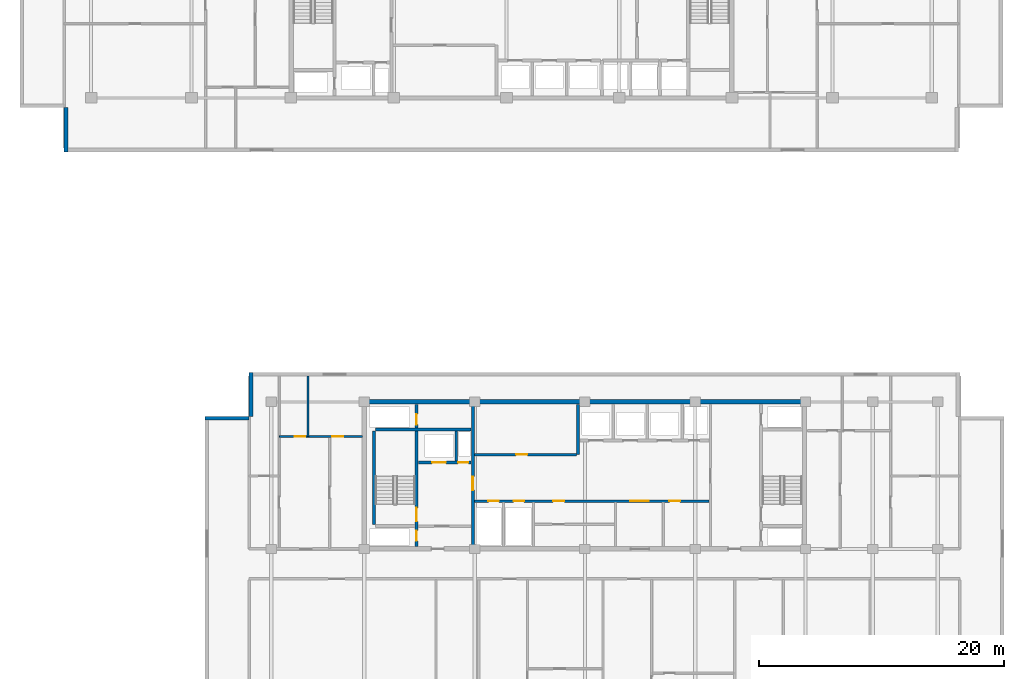
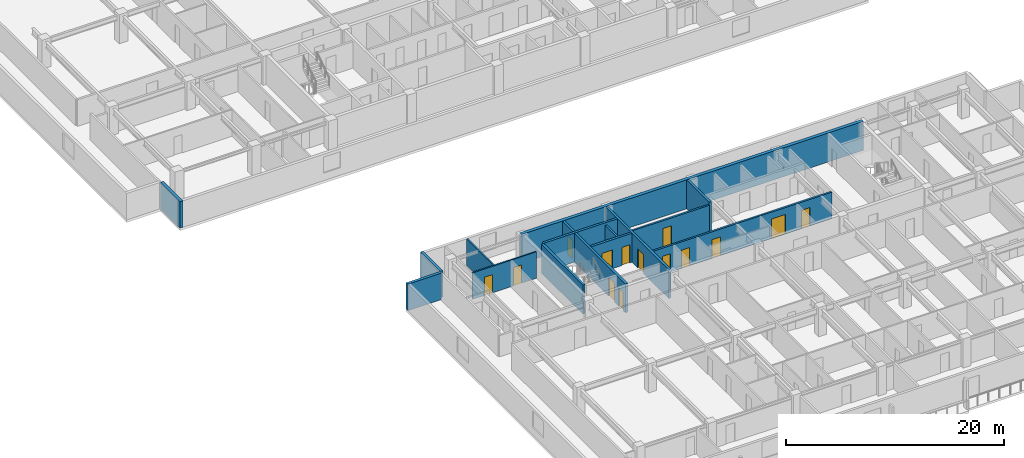
# One storey, part 6 of 21: 15 walls, 14 doors, 14 openings.
"""IFC4 building model written with IfcOpenShell, lengths in metres."""

from ifc_helpers import new_model, si_unit, direction, frame, frame_2d, origin, place, context, subcontext, project, spatial, rectangle, extrude, material, layer, layer_set, type_object, element, fill, save


model = new_model("IFC4")

# Units and contexts
model_context = context("Model", 3, precision=1e-05, world=origin(), true_north=direction((0.0, 1.0)))
body_context = subcontext(model_context, "Body", "Model", "MODEL_VIEW")
ifc_project = project(units=[si_unit("LENGTHUNIT", "METRE"), si_unit("AREAUNIT", "SQUARE_METRE"), si_unit("VOLUMEUNIT", "CUBIC_METRE"), si_unit("PLANEANGLEUNIT", "RADIAN"), si_unit("MASSUNIT", "GRAM", prefix="KILO")], contexts=[model_context])

# Site, building, storey
site_placement = place(None, origin())
site = spatial("IfcSite", under=ifc_project, at=site_placement, CompositionType="ELEMENT")
building_placement = place(site_placement, origin())
building = spatial("IfcBuilding", under=site, at=building_placement, Name="Korimba Cascade Residences", CompositionType="ELEMENT")
storey_placement = place(building_placement, frame((0.0, 0.0, 100.300048828125)))
storey = spatial("IfcBuildingStorey", under=building, at=storey_placement, Name="L28", CompositionType="ELEMENT", Elevation=100.300048828125)

# Walls
ifc_material_1 = material(Name="Precast concrete C40/50", Category="concrete")
ifc_layer_1 = layer(ifc_material_1, 0.300048828125)
ifc_layer_set_1 = layer_set([ifc_layer_1], Name="Precast concrete C40/50")
wall_type_1 = type_object("IfcWallType", Name="EW-STONE-300", PredefinedType="STANDARD", material=ifc_layer_set_1)
wall_1_placement = place(storey_placement, frame((57.75, 54.39990234375, 0.0), z_axis=(0.0, 0.0, 1.0), x_axis=(0.0, -1.0, 0.0)))
element("IfcWall", 1, at=wall_1_placement, inside=storey, type_object=wall_type_1, Name="L28 T1 Perimeter Stone Wall E11", PredefinedType="STANDARD", context=body_context, shape_type="SweptSolid", body=[
    extrude(rectangle(XDim=3.599853515625, YDim=0.300048828125, at=frame_2d((1.7998046875, 0.0))), origin(), (0.0, 0.0, 1.0), 2.969970703125),
])
wall_2_placement = place(storey_placement, frame((72.85009765625, 32.800048828125, 0.0), z_axis=(0.0, 0.0, 1.0), x_axis=(0.0, -1.0, 0.0)))
element("IfcWall", 2, at=wall_2_placement, inside=storey, type_object=wall_type_1, Name="L28 T2 Perimeter Stone Wall E07", PredefinedType="STANDARD", context=body_context, shape_type="SweptSolid", body=[
    extrude(rectangle(XDim=3.60009765625, YDim=0.300048828125, at=frame_2d((1.800048828125, 0.0))), origin(), (0.0, 0.0, 1.0), 2.969970703125),
])
wall_3_placement = place(storey_placement, frame((72.699951171875, 29.050048828125, 0.0), z_axis=(0.0, 0.0, 1.0), x_axis=(-1.0, 0.0, 0.0)))
element("IfcWall", 3, at=wall_3_placement, inside=storey, type_object=wall_type_1, Name="L28 T2 Perimeter Stone Wall E08", PredefinedType="STANDARD", context=body_context, shape_type="SweptSolid", body=[
    extrude(rectangle(XDim=3.599853515625, YDim=0.300048828125, at=frame_2d((1.7998046875, 0.0))), origin(), (0.0, 0.0, 1.0), 2.969970703125),
])
ifc_material_2 = material(Name="Concrete C65/80", Category="concrete")
ifc_layer_2 = layer(ifc_material_2, 0.35009765625)
ifc_layer_set_2 = layer_set([ifc_layer_2], Name="Concrete C65/80")
wall_type_2 = type_object("IfcWallType", Name="WAL-CORE-350", PredefinedType="SHEAR", material=ifc_layer_set_2)
wall_4_placement = place(storey_placement, frame((81.925048828125, 30.39990234375, 0.0), z_axis=(0.0, 0.0, 1.0), x_axis=(1.0, 0.0, 0.0)))
element("IfcWall", 4, at=wall_4_placement, inside=storey, type_object=wall_type_2, Name="L28 Core Shear Wall CW-L28-T2-N", PredefinedType="SHEAR", context=body_context, shape_type="SweptSolid", body=[
    extrude(rectangle(XDim=36.264892578125, YDim=0.35009765625, at=frame_2d((18.13232421875, 0.0))), origin(), (0.0, 0.0, 1.0), 3.25),
])
ifc_material_3 = material(Name="Insulated Acoustic Stud Partition", Category="gypsum")
ifc_layer_3 = layer(ifc_material_3, 0.14990234375)
ifc_layer_set_3 = layer_set([ifc_layer_3], Name="Insulated Acoustic Stud Partition")
wall_type_3 = type_object("IfcWallType", Name="WAL-PART-150", PredefinedType="PARTITIONING", material=ifc_layer_set_3)
wall_5_placement = place(storey_placement, frame((77.5, 27.570068359375, 0.0), z_axis=(0.0, 0.0, 1.0), x_axis=(0.0, 1.0, 0.0)))
element("IfcWall", 5, at=wall_5_placement, inside=storey, type_object=wall_type_3, Name="L28 Partition Wall WAL-L28-T2-FW-VN", PredefinedType="PARTITIONING", context=body_context, shape_type="SweptSolid", body=[
    extrude(rectangle(XDim=4.929931640625, YDim=0.14990234375, at=frame_2d((2.46484375, 0.0))), origin(), (0.0, 0.0, 1.0), 2.969970703125),
])

# Wall, openings, doors
wall_6_placement = place(storey_placement, frame((75.169921875, 27.570068359375, 0.0), z_axis=(0.0, 0.0, 1.0), x_axis=(1.0, 0.0, 0.0)))
wall_6 = element("IfcWall", 6, at=wall_6_placement, inside=storey, type_object=wall_type_3, Name="L28 Partition Wall WAL-L28-T2-FW-H", PredefinedType="PARTITIONING", context=body_context, shape_type="SweptSolid", body=[
    extrude(rectangle(XDim=6.760009765625, YDim=0.14990234375, at=frame_2d((3.3798828125, 0.0))), origin(), (0.0, 0.0, 1.0), 2.969970703125),
])
opening_1_placement = place(wall_6_placement, frame((1.266357421875, 0.0, 0.0)))
opening_1 = element("IfcOpeningElement", 7, at=opening_1_placement, cuts=wall_6, Name="Opening D-BT1", PredefinedType="OPENING", context=body_context, shape_type="SweptSolid", body=[
    extrude(rectangle(XDim=0.840087890625, YDim=2.0400390625, at=frame_2d((0.419921875, 1.02001953125))), frame((0.0, 0.0849609375, 0.0), z_axis=(0.0, -1.0, 0.0), x_axis=(1.0, 0.0, 0.0)), (0.0, 0.0, 1.0), 0.169921875),
])
opening_2_placement = place(wall_6_placement, frame((4.320068359375, 0.0, 0.0)))
opening_2 = element("IfcOpeningElement", 8, at=opening_2_placement, cuts=wall_6, Name="Opening D-IN2", PredefinedType="OPENING", context=body_context, shape_type="SweptSolid", body=[
    extrude(rectangle(XDim=0.8798828125, YDim=2.06005859375, at=frame_2d((0.43994140625, 1.030029296875))), frame((0.0, 0.0849609375, 0.0), z_axis=(0.0, -1.0, 0.0), x_axis=(1.0, 0.0, 0.0)), (0.0, 0.0, 1.0), 0.169921875),
])
ifc_material_4 = material(Name="Moisture-Resistant Bathroom Timber Door", Category="wood")
door_type_1 = type_object("IfcDoorType", Name="DR-INT-850", OperationType="NOTDEFINED", PredefinedType="DOOR", material=ifc_material_4)
door_1_placement = place(opening_1_placement, origin())
door_1 = element("IfcDoor", 9, at=door_1_placement, inside=storey, type_object=door_type_1, Name="L28-T2-FW Bathroom Door", OperationType="SINGLE_SWING_RIGHT", OverallHeight=2.0400390625, OverallWidth=0.840087890625, PredefinedType="DOOR", context=body_context, shape_type="SweptSolid", body=[
    extrude(rectangle(XDim=0.840087890625, YDim=2.0400390625, at=frame_2d((0.419921875, 1.02001953125))), frame((0.0, 0.02490234375, 0.0), z_axis=(0.0, -1.0, 0.0), x_axis=(1.0, 0.0, 0.0)), (0.0, 0.0, 1.0), 0.050048828125),
])
fill(opening_1, door_1)
ifc_material_5 = material(Name="Acoustic Timber Bedroom Door", Category="wood")
door_type_2 = type_object("IfcDoorType", Name="DR-INT-880", OperationType="NOTDEFINED", PredefinedType="DOOR", material=ifc_material_5)
door_2_placement = place(opening_2_placement, origin())
door_2 = element("IfcDoor", 10, at=door_2_placement, inside=storey, type_object=door_type_2, Name="L28-T2-FW Bedroom Door", OperationType="SINGLE_SWING_LEFT", OverallHeight=2.06005859375, OverallWidth=0.8798828125, PredefinedType="DOOR", context=body_context, shape_type="SweptSolid", body=[
    extrude(rectangle(XDim=0.8798828125, YDim=2.06005859375, at=frame_2d((0.43994140625, 1.030029296875))), frame((0.0, 0.02490234375, 0.0), z_axis=(0.0, -1.0, 0.0), x_axis=(1.0, 0.0, 0.0)), (0.0, 0.0, 1.0), 0.050048828125),
])
fill(opening_2, door_2)

# Wall
ifc_material_6 = material(Name="Concrete C40/50", Category="concrete")
ifc_layer_4 = layer(ifc_material_6, 0.199951171875)
ifc_layer_set_4 = layer_set([ifc_layer_4], Name="Concrete C40/50")
wall_type_4 = type_object("IfcWallType", Name="WAL-PART-200", PredefinedType="PARTITIONING", material=ifc_layer_set_4)
wall_7_placement = place(storey_placement, frame((89.60009765625, 25.580078125, 0.0), z_axis=(0.0, 0.0, 1.0), x_axis=(0.0, 1.0, 0.0)))
element("IfcWall", 11, at=wall_7_placement, inside=storey, type_object=wall_type_4, Name="L28 Partition Wall CW-L28-T2-FFLDIV", PredefinedType="PARTITIONING", context=body_context, shape_type="SweptSolid", body=[
    extrude(rectangle(XDim=2.419921875, YDim=0.199951171875, at=frame_2d((1.2099609375, 0.0))), origin(), (0.0, 0.0, 1.0), 2.969970703125),
])

# Wall, opening, door
wall_8_placement = place(storey_placement, frame((91.080078125, 26.10009765625, 0.0), z_axis=(0.0, 0.0, 1.0), x_axis=(1.0, 0.0, 0.0)))
wall_8 = element("IfcWall", 12, at=wall_8_placement, inside=storey, type_object=wall_type_4, Name="L28 Partition Wall CW-L28-T2-B1RS", PredefinedType="PARTITIONING", context=body_context, shape_type="SweptSolid", body=[
    extrude(rectangle(XDim=8.33984375, YDim=0.199951171875, at=frame_2d((4.169921875, 0.0))), origin(), (0.0, 0.0, 1.0), 2.969970703125),
])
opening_3_placement = place(wall_8_placement, frame((3.39990234375, 0.0, 0.0)))
opening_3 = element("IfcOpeningElement", 13, at=opening_3_placement, cuts=wall_8, Name="Opening D-ST1", PredefinedType="OPENING", context=body_context, shape_type="SweptSolid", body=[
    extrude(rectangle(XDim=0.919921875, YDim=2.080078125, at=frame_2d((0.4599609375, 1.0400390625))), frame((0.0, 0.10986328125, 0.0), z_axis=(0.0, -1.0, 0.0), x_axis=(1.0, 0.0, 0.0)), (0.0, 0.0, 1.0), 0.219970703125),
])
ifc_material_7 = material(Name="Fire-Rated Core Store Door", Category="wood")
door_type_3 = type_object("IfcDoorType", Name="DR-FD60-920", OperationType="NOTDEFINED", PredefinedType="DOOR", material=ifc_material_7)
door_3_placement = place(opening_3_placement, origin())
door_3 = element("IfcDoor", 14, at=door_3_placement, inside=storey, type_object=door_type_3, Name="L28 T2 Resident Storage Door", OperationType="SINGLE_SWING_RIGHT", OverallHeight=2.080078125, OverallWidth=0.919921875, PredefinedType="DOOR", context=body_context, shape_type="SweptSolid", body=[
    extrude(rectangle(XDim=0.919921875, YDim=2.080078125, at=frame_2d((0.4599609375, 1.0400390625))), frame((0.0, 0.02490234375, 0.0), z_axis=(0.0, -1.0, 0.0), x_axis=(1.0, 0.0, 0.0)), (0.0, 0.0, 1.0), 0.050048828125),
])
fill(opening_3, door_3)

# Wall, openings, doors
wall_9_placement = place(storey_placement, frame((91.080078125, 22.300048828125, 0.0), z_axis=(0.0, 0.0, 1.0), x_axis=(1.0, 0.0, 0.0)))
wall_9 = element("IfcWall", 15, at=wall_9_placement, inside=storey, type_object=wall_type_4, Name="L28 Partition Wall CW-L28-T2-SRVROW", PredefinedType="PARTITIONING", context=body_context, shape_type="SweptSolid", body=[
    extrude(rectangle(XDim=19.139892578125, YDim=0.199951171875, at=frame_2d((9.56982421875, 0.0))), origin(), (0.0, 0.0, 1.0), 2.969970703125),
])
opening_4_placement = place(wall_9_placement, frame((1.14990234375, 0.0, 0.0)))
opening_4 = element("IfcOpeningElement", 16, at=opening_4_placement, cuts=wall_9, Name="Opening D-RS1", PredefinedType="OPENING", context=body_context, shape_type="SweptSolid", body=[
    extrude(rectangle(XDim=0.85009765625, YDim=2.050048828125, at=frame_2d((0.425048828125, 1.02490234375))), frame((0.0, 0.10986328125, 0.0), z_axis=(0.0, -1.0, 0.0), x_axis=(1.0, 0.0, 0.0)), (0.0, 0.0, 1.0), 0.219970703125),
])
opening_5_placement = place(wall_9_placement, frame((3.199951171875, 0.0, 0.0)))
opening_5 = element("IfcOpeningElement", 17, at=opening_5_placement, cuts=wall_9, Name="Opening D-RS1", PredefinedType="OPENING", context=body_context, shape_type="SweptSolid", body=[
    extrude(rectangle(XDim=0.85009765625, YDim=2.050048828125, at=frame_2d((0.425048828125, 1.02490234375))), frame((0.0, 0.10986328125, 0.0), z_axis=(0.0, -1.0, 0.0), x_axis=(1.0, 0.0, 0.0)), (0.0, 0.0, 1.0), 0.219970703125),
])
opening_6_placement = place(wall_9_placement, frame((12.719970703125, 0.0, 0.0)))
opening_6 = element("IfcOpeningElement", 18, at=opening_6_placement, cuts=wall_9, Name="Opening D-FD8", PredefinedType="OPENING", context=body_context, shape_type="SweptSolid", body=[
    extrude(rectangle(XDim=1.5, YDim=2.199951171875, at=frame_2d((0.75, 1.10009765625))), frame((0.0, 0.10986328125, 0.0), z_axis=(0.0, -1.0, 0.0), x_axis=(1.0, 0.0, 0.0)), (0.0, 0.0, 1.0), 0.219970703125),
])
opening_7_placement = place(wall_9_placement, frame((6.419921875, 0.0, 0.0)))
opening_7 = element("IfcOpeningElement", 19, at=opening_7_placement, cuts=wall_9, Name="Opening D-IN1", PredefinedType="OPENING", context=body_context, shape_type="SweptSolid", body=[
    extrude(rectangle(XDim=0.919921875, YDim=2.080078125, at=frame_2d((0.4599609375, 1.0400390625))), frame((0.0, 0.10986328125, 0.0), z_axis=(0.0, -1.0, 0.0), x_axis=(1.0, 0.0, 0.0)), (0.0, 0.0, 1.0), 0.219970703125),
])
opening_8_placement = place(wall_9_placement, frame((15.919921875, 0.0, 0.0)))
opening_8 = element("IfcOpeningElement", 20, at=opening_8_placement, cuts=wall_9, Name="Opening D-IN2", PredefinedType="OPENING", context=body_context, shape_type="SweptSolid", body=[
    extrude(rectangle(XDim=0.8798828125, YDim=2.06005859375, at=frame_2d((0.43994140625, 1.030029296875))), frame((0.0, 0.10986328125, 0.0), z_axis=(0.0, -1.0, 0.0), x_axis=(1.0, 0.0, 0.0)), (0.0, 0.0, 1.0), 0.219970703125),
])
ifc_material_8 = material(Name="Fire-Rated Steel Riser Access Door", Category="steel")
door_type_4 = type_object("IfcDoorType", Name="DR-FD60-850", OperationType="NOTDEFINED", PredefinedType="DOOR", material=ifc_material_8)
door_4_placement = place(opening_4_placement, origin())
door_4 = element("IfcDoor", 21, at=door_4_placement, inside=storey, type_object=door_type_4, Name="L28 T2 Electrical Riser Door", OperationType="SINGLE_SWING_LEFT", OverallHeight=2.050048828125, OverallWidth=0.85009765625, PredefinedType="DOOR", context=body_context, shape_type="SweptSolid", body=[
    extrude(rectangle(XDim=0.85009765625, YDim=2.050048828125, at=frame_2d((0.425048828125, 1.02490234375))), frame((0.0, 0.02490234375, 0.0), z_axis=(0.0, -1.0, 0.0), x_axis=(1.0, 0.0, 0.0)), (0.0, 0.0, 1.0), 0.050048828125),
])
fill(opening_4, door_4)
door_5_placement = place(opening_5_placement, origin())
door_5 = element("IfcDoor", 22, at=door_5_placement, inside=storey, type_object=door_type_4, Name="L28 T2 Plumbing Riser Door", OperationType="SINGLE_SWING_RIGHT", OverallHeight=2.050048828125, OverallWidth=0.85009765625, PredefinedType="DOOR", context=body_context, shape_type="SweptSolid", body=[
    extrude(rectangle(XDim=0.85009765625, YDim=2.050048828125, at=frame_2d((0.425048828125, 1.02490234375))), frame((0.0, 0.02490234375, 0.0), z_axis=(0.0, -1.0, 0.0), x_axis=(1.0, 0.0, 0.0)), (0.0, 0.0, 1.0), 0.050048828125),
])
fill(opening_5, door_5)
ifc_material_9 = material(Name="Fire-Rated Glazed Lift Lobby Double Door", Category="glass")
door_type_5 = type_object("IfcDoorType", Name="DR-FD90-1500", OperationType="NOTDEFINED", PredefinedType="DOOR", material=ifc_material_9)
door_6_placement = place(opening_6_placement, origin())
door_6 = element("IfcDoor", 23, at=door_6_placement, inside=storey, type_object=door_type_5, Name="L28 T2 Lift Lobby Foyer Door", OperationType="DOUBLE_DOOR_SINGLE_SWING", OverallHeight=2.199951171875, OverallWidth=1.5, PredefinedType="DOOR", context=body_context, shape_type="SweptSolid", body=[
    extrude(rectangle(XDim=1.5, YDim=2.199951171875, at=frame_2d((0.75, 1.10009765625))), frame((0.0, 0.02490234375, 0.0), z_axis=(0.0, -1.0, 0.0), x_axis=(1.0, 0.0, 0.0)), (0.0, 0.0, 1.0), 0.050048828125),
])
fill(opening_6, door_6)
door_7_placement = place(opening_8_placement, origin())
door_7 = element("IfcDoor", 24, at=door_7_placement, inside=storey, type_object=door_type_2, Name="L28 T2 Staff WC Door", OperationType="SINGLE_SWING_RIGHT", OverallHeight=2.06005859375, OverallWidth=0.8798828125, PredefinedType="DOOR", context=body_context, shape_type="SweptSolid", body=[
    extrude(rectangle(XDim=0.8798828125, YDim=2.06005859375, at=frame_2d((0.43994140625, 1.030029296875))), frame((0.0, 0.02490234375, 0.0), z_axis=(0.0, -1.0, 0.0), x_axis=(1.0, 0.0, 0.0)), (0.0, 0.0, 1.0), 0.050048828125),
])
fill(opening_8, door_7)
ifc_material_10 = material(Name="Acoustic Timber Living Door", Category="wood")
door_type_6 = type_object("IfcDoorType", Name="DR-INT-920", OperationType="NOTDEFINED", PredefinedType="DOOR", material=ifc_material_10)
door_8_placement = place(opening_7_placement, origin())
door_8 = element("IfcDoor", 25, at=door_8_placement, inside=storey, type_object=door_type_6, Name="L28 T2 Locker Door", OperationType="SINGLE_SWING_LEFT", OverallHeight=2.080078125, OverallWidth=0.919921875, PredefinedType="DOOR", context=body_context, shape_type="SweptSolid", body=[
    extrude(rectangle(XDim=0.919921875, YDim=2.080078125, at=frame_2d((0.4599609375, 1.0400390625))), frame((0.0, 0.02490234375, 0.0), z_axis=(0.0, -1.0, 0.0), x_axis=(1.0, 0.0, 0.0)), (0.0, 0.0, 1.0), 0.050048828125),
])
fill(opening_7, door_8)

# Wall
ifc_material_11 = material(Name="Concrete C50/60", Category="concrete")
ifc_layer_5 = layer(ifc_material_11, 0.25)
ifc_layer_set_5 = layer_set([ifc_layer_5], Name="Concrete C50/60")
wall_type_5 = type_object("IfcWallType", Name="WAL-SHAFT-250", PredefinedType="SHEAR", material=ifc_layer_set_5)
wall_10_placement = place(storey_placement, frame((82.875, 20.39990234375, 0.0), z_axis=(0.0, 0.0, 1.0), x_axis=(0.0, 1.0, 0.0)))
element("IfcWall", 26, at=wall_10_placement, inside=storey, type_object=wall_type_5, Name="L28 Core Shear Wall CW-L28-T2-STE1W", PredefinedType="SHEAR", context=body_context, shape_type="SweptSolid", body=[
    extrude(rectangle(XDim=7.60009765625, YDim=0.25, at=frame_2d((3.800048828125, 0.0))), origin(), (0.0, 0.0, 1.0), 3.25),
])

# Wall, openings, doors
wall_11_placement = place(storey_placement, frame((86.364990234375, 18.60009765625, 0.0), z_axis=(0.0, 0.0, 1.0), x_axis=(0.0, 1.0, 0.0)))
wall_11 = element("IfcWall", 27, at=wall_11_placement, inside=storey, type_object=wall_type_5, Name="L28 Core Shear Wall CW-L28-T2-STE1E", PredefinedType="SHEAR", context=body_context, shape_type="SweptSolid", body=[
    extrude(rectangle(XDim=11.599853515625, YDim=0.25, at=frame_2d((5.7998046875, 0.0))), origin(), (0.0, 0.0, 1.0), 3.25),
])
opening_9_placement = place(wall_11_placement, frame((0.449951171875, 0.0, 0.0)))
opening_9 = element("IfcOpeningElement", 28, at=opening_9_placement, cuts=wall_11, Name="Opening D-RS1", PredefinedType="OPENING", context=body_context, shape_type="SweptSolid", body=[
    extrude(rectangle(XDim=0.85009765625, YDim=2.050048828125, at=frame_2d((0.425048828125, 1.02490234375))), frame((0.0, 0.135009765625, 0.0), z_axis=(0.0, -1.0, 0.0), x_axis=(1.0, 0.0, 0.0)), (0.0, 0.0, 1.0), 0.27001953125),
])
opening_10_placement = place(wall_11_placement, frame((2.050048828125, 0.0, 0.0)))
opening_10 = element("IfcOpeningElement", 29, at=opening_10_placement, cuts=wall_11, Name="Opening D-FD1", PredefinedType="OPENING", context=body_context, shape_type="SweptSolid", body=[
    extrude(rectangle(XDim=1.10009765625, YDim=2.10009765625, at=frame_2d((0.550048828125, 1.050048828125))), frame((0.0, 0.135009765625, 0.0), z_axis=(0.0, -1.0, 0.0), x_axis=(1.0, 0.0, 0.0)), (0.0, 0.0, 1.0), 0.27001953125),
])
opening_11_placement = place(wall_11_placement, frame((9.949951171875, 0.0, 0.0)))
opening_11 = element("IfcOpeningElement", 30, at=opening_11_placement, cuts=wall_11, Name="Opening D-RS1", PredefinedType="OPENING", context=body_context, shape_type="SweptSolid", body=[
    extrude(rectangle(XDim=0.85009765625, YDim=2.050048828125, at=frame_2d((0.425048828125, 1.02490234375))), frame((0.0, 0.135009765625, 0.0), z_axis=(0.0, -1.0, 0.0), x_axis=(1.0, 0.0, 0.0)), (0.0, 0.0, 1.0), 0.27001953125),
])
ifc_material_12 = material(Name="Fire-Rated Steel Core Door", Category="steel")
door_type_7 = type_object("IfcDoorType", Name="DR-FD120-1100", OperationType="NOTDEFINED", PredefinedType="DOOR", material=ifc_material_12)
door_9_placement = place(opening_10_placement, origin())
door_9 = element("IfcDoor", 31, at=door_9_placement, inside=storey, type_object=door_type_7, Name="L28 Fire Stair ST-E1 Door", OperationType="SINGLE_SWING_LEFT", OverallHeight=2.10009765625, OverallWidth=1.10009765625, PredefinedType="DOOR", context=body_context, shape_type="SweptSolid", body=[
    extrude(rectangle(XDim=1.10009765625, YDim=2.10009765625, at=frame_2d((0.550048828125, 1.050048828125))), frame((0.0, 0.02490234375, 0.0), z_axis=(0.0, -1.0, 0.0), x_axis=(1.0, 0.0, 0.0)), (0.0, 0.0, 1.0), 0.050048828125),
])
fill(opening_10, door_9)
door_10_placement = place(opening_9_placement, origin())
door_10 = element("IfcDoor", 32, at=door_10_placement, inside=storey, type_object=door_type_4, Name="L28 T2 Hydrant Riser Door", OperationType="SINGLE_SWING_RIGHT", OverallHeight=2.050048828125, OverallWidth=0.85009765625, PredefinedType="DOOR", context=body_context, shape_type="SweptSolid", body=[
    extrude(rectangle(XDim=0.85009765625, YDim=2.050048828125, at=frame_2d((0.425048828125, 1.02490234375))), frame((0.0, 0.02490234375, 0.0), z_axis=(0.0, -1.0, 0.0), x_axis=(1.0, 0.0, 0.0)), (0.0, 0.0, 1.0), 0.050048828125),
])
fill(opening_9, door_10)
door_11_placement = place(opening_11_placement, origin())
door_11 = element("IfcDoor", 33, at=door_11_placement, inside=storey, type_object=door_type_4, Name="L28 T2 Smoke Shaft Door", OperationType="SINGLE_SWING_RIGHT", OverallHeight=2.050048828125, OverallWidth=0.85009765625, PredefinedType="DOOR", context=body_context, shape_type="SweptSolid", body=[
    extrude(rectangle(XDim=0.85009765625, YDim=2.050048828125, at=frame_2d((0.425048828125, 1.02490234375))), frame((0.0, 0.02490234375, 0.0), z_axis=(0.0, -1.0, 0.0), x_axis=(1.0, 0.0, 0.0)), (0.0, 0.0, 1.0), 0.050048828125),
])
fill(opening_11, door_11)

# Wall
wall_12_placement = place(storey_placement, frame((83.0, 28.125, 0.0), z_axis=(0.0, 0.0, 1.0), x_axis=(1.0, 0.0, 0.0)))
element("IfcWall", 34, at=wall_12_placement, inside=storey, type_object=wall_type_5, Name="L28 Core Shear Wall CW-L28-T2-STE1N", PredefinedType="SHEAR", context=body_context, shape_type="SweptSolid", body=[
    extrude(rectangle(XDim=7.820068359375, YDim=0.25, at=frame_2d((3.91015625, 0.0))), origin(), (0.0, 0.0, 1.0), 3.25),
])

# Wall, openings, doors
wall_13_placement = place(storey_placement, frame((86.5, 25.449951171875, 0.0), z_axis=(0.0, 0.0, 1.0), x_axis=(1.0, 0.0, 0.0)))
wall_13 = element("IfcWall", 35, at=wall_13_placement, inside=storey, type_object=wall_type_5, Name="L28 Core Shear Wall CW-L28-T2-FFLN", PredefinedType="SHEAR", context=body_context, shape_type="SweptSolid", body=[
    extrude(rectangle(XDim=4.320068359375, YDim=0.25, at=frame_2d((2.16015625, 0.0))), origin(), (0.0, 0.0, 1.0), 3.25),
])
opening_12_placement = place(wall_13_placement, frame((1.139892578125, 0.0, 0.0)))
opening_12 = element("IfcOpeningElement", 36, at=opening_12_placement, cuts=wall_13, Name="Opening LD-01", PredefinedType="OPENING", context=body_context, shape_type="SweptSolid", body=[
    extrude(rectangle(XDim=1.1201171875, YDim=2.1201171875, at=frame_2d((0.56005859375, 1.06005859375))), frame((0.0, 0.135009765625, 0.0), z_axis=(0.0, -1.0, 0.0), x_axis=(1.0, 0.0, 0.0)), (0.0, 0.0, 1.0), 0.27001953125),
])
opening_13_placement = place(wall_13_placement, frame((3.25, 0.0, 0.0)))
opening_13 = element("IfcOpeningElement", 37, at=opening_13_placement, cuts=wall_13, Name="Opening D-RS1", PredefinedType="OPENING", context=body_context, shape_type="SweptSolid", body=[
    extrude(rectangle(XDim=0.85009765625, YDim=2.050048828125, at=frame_2d((0.425048828125, 1.02490234375))), frame((0.0, 0.135009765625, 0.0), z_axis=(0.0, -1.0, 0.0), x_axis=(1.0, 0.0, 0.0)), (0.0, 0.0, 1.0), 0.27001953125),
])
door_12_placement = place(opening_13_placement, origin())
door_12 = element("IfcDoor", 38, at=door_12_placement, inside=storey, type_object=door_type_4, Name="L28 T2 Pressurisation Riser Door", OperationType="SINGLE_SWING_LEFT", OverallHeight=2.050048828125, OverallWidth=0.85009765625, PredefinedType="DOOR", context=body_context, shape_type="SweptSolid", body=[
    extrude(rectangle(XDim=0.85009765625, YDim=2.050048828125, at=frame_2d((0.425048828125, 1.02490234375))), frame((0.0, 0.02490234375, 0.0), z_axis=(0.0, -1.0, 0.0), x_axis=(1.0, 0.0, 0.0)), (0.0, 0.0, 1.0), 0.050048828125),
])
fill(opening_13, door_12)
ifc_material_13 = material(Name="Stainless Steel Lift Landing Sliding Door", Category="steel")
door_type_8 = type_object("IfcDoorType", Name="DR-LIFT-1100", OperationType="NOTDEFINED", PredefinedType="DOOR", material=ifc_material_13)
door_13_placement = place(opening_12_placement, origin())
door_13 = element("IfcDoor", 39, at=door_13_placement, inside=storey, type_object=door_type_8, Name="L28 Firefighting Lift Landing Door FFL-E1", OperationType="SLIDING_TO_RIGHT", OverallHeight=2.1201171875, OverallWidth=1.1201171875, PredefinedType="DOOR", context=body_context, shape_type="SweptSolid", body=[
    extrude(rectangle(XDim=1.1201171875, YDim=2.1201171875, at=frame_2d((0.56005859375, 1.06005859375))), frame((0.0, 0.02490234375, 0.0), z_axis=(0.0, -1.0, 0.0), x_axis=(1.0, 0.0, 0.0)), (0.0, 0.0, 1.0), 0.050048828125),
])
fill(opening_12, door_13)

# Wall, opening, door
wall_14_placement = place(storey_placement, frame((90.949951171875, 18.60009765625, 0.0), z_axis=(0.0, 0.0, 1.0), x_axis=(0.0, 1.0, 0.0)))
wall_14 = element("IfcWall", 40, at=wall_14_placement, inside=storey, type_object=wall_type_5, Name="L28 Core Shear Wall CW-L28-T2-FFLE", PredefinedType="SHEAR", context=body_context, shape_type="SweptSolid", body=[
    extrude(rectangle(XDim=11.599853515625, YDim=0.25, at=frame_2d((5.7998046875, 0.0))), origin(), (0.0, 0.0, 1.0), 3.25),
])
opening_14_placement = place(wall_14_placement, frame((4.60009765625, 0.0, 0.0)))
opening_14 = element("IfcOpeningElement", 41, at=opening_14_placement, cuts=wall_14, Name="Opening D-FD1", PredefinedType="OPENING", context=body_context, shape_type="SweptSolid", body=[
    extrude(rectangle(XDim=1.10009765625, YDim=2.10009765625, at=frame_2d((0.550048828125, 1.050048828125))), frame((0.0, 0.135009765625, 0.0), z_axis=(0.0, -1.0, 0.0), x_axis=(1.0, 0.0, 0.0)), (0.0, 0.0, 1.0), 0.27001953125),
])
door_14_placement = place(opening_14_placement, origin())
door_14 = element("IfcDoor", 42, at=door_14_placement, inside=storey, type_object=door_type_7, Name="L28 T2 Firefighting Lobby to Lift Lobby Door", OperationType="SINGLE_SWING_LEFT", OverallHeight=2.10009765625, OverallWidth=1.10009765625, PredefinedType="DOOR", context=body_context, shape_type="SweptSolid", body=[
    extrude(rectangle(XDim=1.10009765625, YDim=2.10009765625, at=frame_2d((0.550048828125, 1.050048828125))), frame((0.0, 0.02490234375, 0.0), z_axis=(0.0, -1.0, 0.0), x_axis=(1.0, 0.0, 0.0)), (0.0, 0.0, 1.0), 0.050048828125),
])
fill(opening_14, door_14)

# Wall
wall_15_placement = place(storey_placement, frame((99.550048828125, 26.10009765625, 0.0), z_axis=(0.0, 0.0, 1.0), x_axis=(0.0, 1.0, 0.0)))
element("IfcWall", 43, at=wall_15_placement, inside=storey, type_object=wall_type_5, Name="L28 Core Shear Wall CW-L28-T2-B12DIV", PredefinedType="SHEAR", context=body_context, shape_type="SweptSolid", body=[
    extrude(rectangle(XDim=4.099853515625, YDim=0.25, at=frame_2d((2.0498046875, 0.0))), origin(), (0.0, 0.0, 1.0), 3.25),
])

save(model, "model.ifc")
